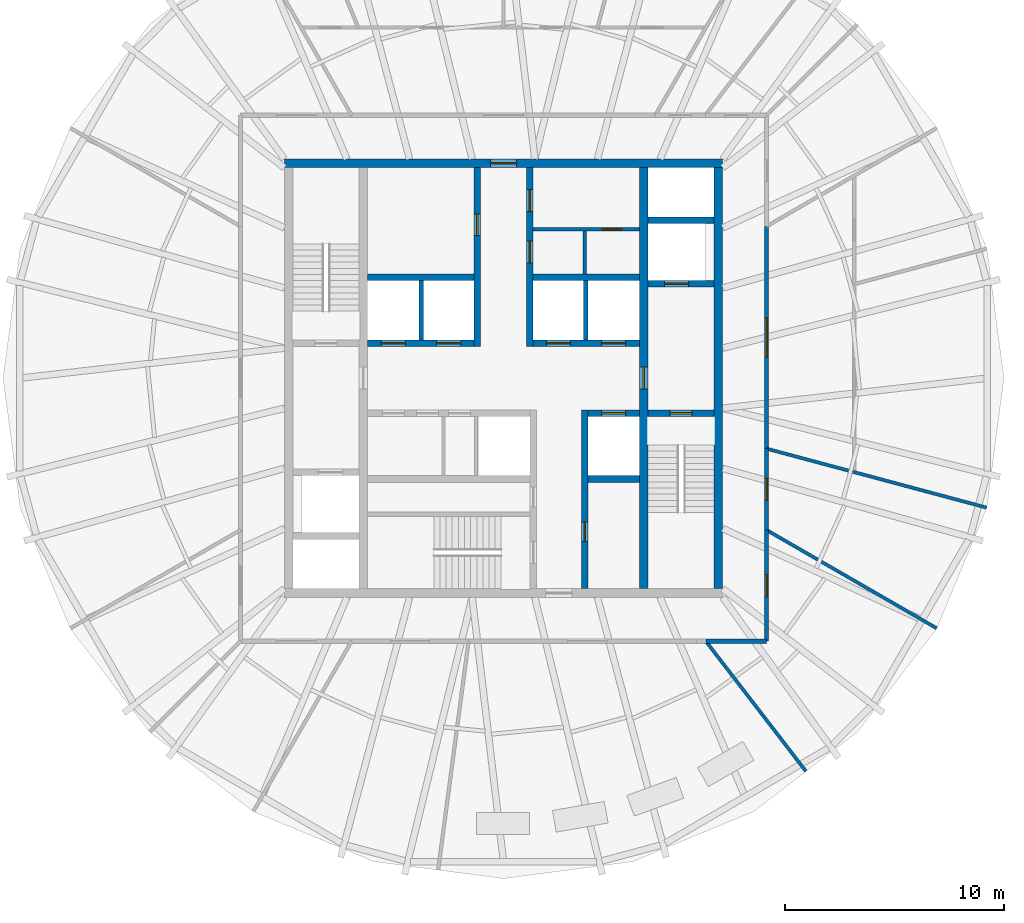
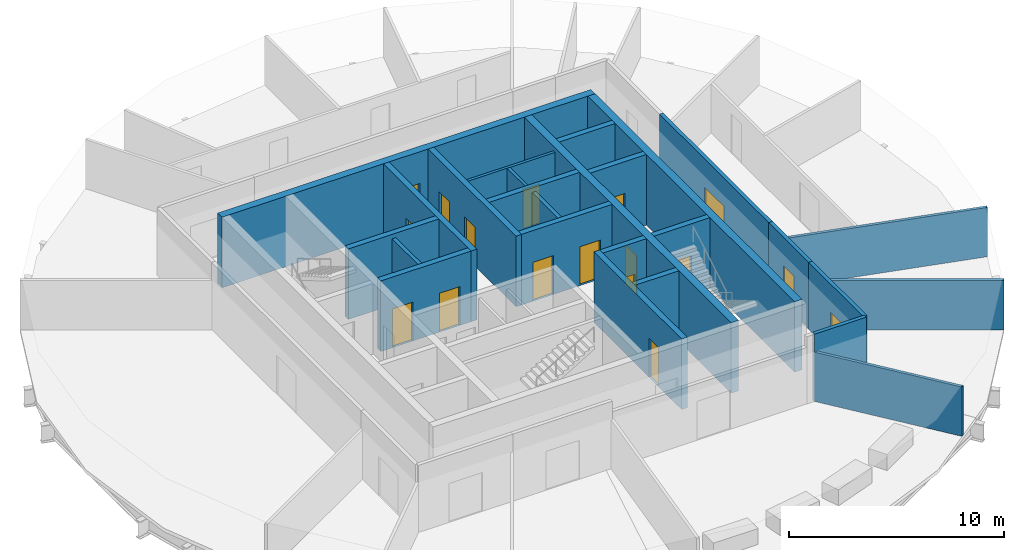
# One storey, part 4 of 7: 26 walls, 17 doors, 17 openings.
"""IFC4 building model written with IfcOpenShell, lengths in metres."""

from ifc_helpers import new_model, si_unit, direction, frame, frame_2d, origin, place, context, subcontext, project, spatial, rectangle, extrude, material, layer, layer_set, type_object, element, fill, save


model = new_model("IFC4")

# Units and contexts
model_context = context("Model", 3, precision=1e-05, world=origin(), true_north=direction((0.0, 1.0)))
body_context = subcontext(model_context, "Body", "Model", "MODEL_VIEW")
ifc_project = project(units=[si_unit("LENGTHUNIT", "METRE"), si_unit("AREAUNIT", "SQUARE_METRE"), si_unit("VOLUMEUNIT", "CUBIC_METRE"), si_unit("PLANEANGLEUNIT", "RADIAN"), si_unit("MASSUNIT", "GRAM", prefix="KILO")], contexts=[model_context])

# Site, building, storey
site_placement = place(None, origin())
site = spatial("IfcSite", under=ifc_project, at=site_placement, CompositionType="ELEMENT")
building_placement = place(site_placement, origin())
building = spatial("IfcBuilding", under=site, at=building_placement, Name="Golbaran Civic Tower", CompositionType="ELEMENT")
storey_placement = place(building_placement, frame((0.0, 0.0, 236.0)))
storey = spatial("IfcBuildingStorey", under=building, at=storey_placement, Name="L57", CompositionType="ELEMENT", Elevation=236.0)

# Wall, opening, door
ifc_material_1 = material(Name="Concrete block", Category="concrete")
ifc_layer_1 = layer(ifc_material_1, 0.14990234375, Name="Concrete block")
ifc_layer_set_1 = layer_set([ifc_layer_1], Name="Concrete block")
wall_type_1 = type_object("IfcWallType", Name="BLOCKWORK PARTITION 150", PredefinedType="PARTITIONING", material=ifc_layer_set_1)
wall_1_placement = place(storey_placement, frame((1.35009765625, 6.800048828125, 0.0), z_axis=(0.0, 0.0, 1.0), x_axis=(1.0, 0.0, 0.0)))
wall_1 = element("IfcWall", 1, at=wall_1_placement, inside=storey, type_object=wall_type_1, Name="Toilet block partition TN1 L57", PredefinedType="PARTITIONING", context=body_context, shape_type="SweptSolid", body=[
    extrude(rectangle(XDim=4.849853515625, YDim=0.14990234375, at=frame_2d((2.4248046875, 0.0))), origin(), (0.0, 0.0, 1.0), 3.75),
])
opening_1_placement = place(wall_1_placement, frame((3.14990234375, 0.0, 0.0)))
opening_1 = element("IfcOpeningElement", 2, at=opening_1_placement, cuts=wall_1, Name="Opening L57.CLN", PredefinedType="OPENING", context=body_context, shape_type="SweptSolid", body=[
    extrude(rectangle(XDim=0.89990234375, YDim=2.199951171875, at=frame_2d((0.449951171875, 1.10009765625))), frame((0.0, 0.0849609375, 0.0), z_axis=(0.0, -1.0, 0.0), x_axis=(1.0, 0.0, 0.0)), (0.0, 0.0, 1.0), 0.169921875),
])
ifc_material_2 = material(Name="Timber door set in steel frame", Category="steel")
door_type_1 = type_object("IfcDoorType", Name="RISER DOOR 900x2200", OperationType="SINGLE_SWING_LEFT", PredefinedType="DOOR", material=ifc_material_2)
door_1_placement = place(opening_1_placement, origin())
door_1 = element("IfcDoor", 3, at=door_1_placement, inside=storey, type_object=door_type_1, Name="Cleaner's Store door", OperationType="SINGLE_SWING_RIGHT", OverallHeight=2.199951171875, OverallWidth=0.89990234375, PredefinedType="DOOR", context=body_context, shape_type="SweptSolid", body=[
    extrude(rectangle(XDim=0.89990234375, YDim=2.199951171875, at=frame_2d((0.449951171875, 1.10009765625))), frame((0.0, 0.02490234375, 0.0), z_axis=(0.0, -1.0, 0.0), x_axis=(1.0, 0.0, 0.0)), (0.0, 0.0, 1.0), 0.050048828125),
])
fill(opening_1, door_1)

# Wall
wall_2_placement = place(storey_placement, frame((3.699951171875, 4.75, 0.0), z_axis=(0.0, 0.0, 1.0), x_axis=(0.0, 1.0, 0.0)))
element("IfcWall", 4, at=wall_2_placement, inside=storey, type_object=wall_type_1, Name="Toilet block partition TN2 L57", PredefinedType="PARTITIONING", context=body_context, shape_type="SweptSolid", body=[
    extrude(rectangle(XDim=1.97509765625, YDim=0.14990234375, at=frame_2d((0.987548828125, 0.0))), origin(), (0.0, 0.0, 1.0), 3.75),
])

# Wall, opening, door
ifc_material_3 = material(Name="Concrete C50/60", Category="concrete")
ifc_layer_2 = layer(ifc_material_3, 0.39990234375, Name="Concrete C50/60")
ifc_layer_set_2 = layer_set([ifc_layer_2], Name="Concrete C50/60")
wall_type_2 = type_object("IfcWallType", Name="CORE WALL CONCRETE 400", PredefinedType="SOLIDWALL", material=ifc_layer_set_2)
wall_3_placement = place(storey_placement, frame((-10.0, 9.800048828125, 0.0), z_axis=(0.0, 0.0, 1.0), x_axis=(1.0, 0.0, 0.0)))
wall_3 = element("IfcWall", 5, at=wall_3_placement, inside=storey, type_object=wall_type_2, Name="Core wall CN L57", PredefinedType="SOLIDWALL", context=body_context, shape_type="SweptSolid", body=[
    extrude(rectangle(XDim=20.0, YDim=0.39990234375, at=frame_2d((10.0, 0.0))), origin(), (0.0, 0.0, 1.0), 4.0),
])
opening_2_placement = place(wall_3_placement, frame((9.39990234375, 0.0, 0.0)))
opening_2 = element("IfcOpeningElement", 6, at=opening_2_placement, cuts=wall_3, Name="Opening L57.CN", PredefinedType="OPENING", context=body_context, shape_type="SweptSolid", body=[
    extrude(rectangle(XDim=1.199951171875, YDim=2.199951171875, at=frame_2d((0.60009765625, 1.10009765625))), frame((0.0, 0.2099609375, 0.0), z_axis=(0.0, -1.0, 0.0), x_axis=(1.0, 0.0, 0.0)), (0.0, 0.0, 1.0), 0.419921875),
])
door_type_2 = type_object("IfcDoorType", Name="CORE DOOR 1200x2200", OperationType="DOUBLE_DOOR_SINGLE_SWING", PredefinedType="DOOR", material=ifc_material_2)
door_2_placement = place(opening_2_placement, origin())
door_2 = element("IfcDoor", 7, at=door_2_placement, inside=storey, type_object=door_type_2, Name="Core door north", OperationType="DOUBLE_DOOR_SINGLE_SWING", OverallHeight=2.199951171875, OverallWidth=1.199951171875, PredefinedType="DOOR", context=body_context, shape_type="SweptSolid", body=[
    extrude(rectangle(XDim=1.199951171875, YDim=2.199951171875, at=frame_2d((0.60009765625, 1.10009765625))), frame((0.0, 0.02490234375, 0.0), z_axis=(0.0, -1.0, 0.0), x_axis=(1.0, 0.0, 0.0)), (0.0, 0.0, 1.0), 0.050048828125),
])
fill(opening_2, door_2)

# Wall
wall_4_placement = place(storey_placement, frame((9.800048828125, -9.60009765625, 0.0), z_axis=(0.0, 0.0, 1.0), x_axis=(0.0, 1.0, 0.0)))
element("IfcWall", 8, at=wall_4_placement, inside=storey, type_object=wall_type_2, Name="Core wall CE L57", PredefinedType="SOLIDWALL", context=body_context, shape_type="SweptSolid", body=[
    extrude(rectangle(XDim=19.2001953125, YDim=0.39990234375, at=frame_2d((9.60009765625, 0.0))), origin(), (0.0, 0.0, 1.0), 4.0),
])

# Wall, opening, door
wall_5_placement = place(storey_placement, frame((6.39990234375, 9.60009765625, 0.0), z_axis=(0.0, 0.0, 1.0), x_axis=(0.0, -1.0, 0.0)))
wall_5 = element("IfcWall", 9, at=wall_5_placement, inside=storey, type_object=wall_type_2, Name="Core wall IE L57", PredefinedType="SOLIDWALL", context=body_context, shape_type="SweptSolid", body=[
    extrude(rectangle(XDim=19.2001953125, YDim=0.39990234375, at=frame_2d((9.60009765625, 0.0))), origin(), (0.0, 0.0, 1.0), 4.0),
])
opening_3_placement = place(wall_5_placement, frame((9.10009765625, 0.0, 0.0)))
opening_3 = element("IfcOpeningElement", 10, at=opening_3_placement, cuts=wall_5, Name="Opening L57.FL2", PredefinedType="OPENING", context=body_context, shape_type="SweptSolid", body=[
    extrude(rectangle(XDim=1.0, YDim=2.199951171875, at=frame_2d((0.5, 1.10009765625))), frame((0.0, 0.2099609375, 0.0), z_axis=(0.0, -1.0, 0.0), x_axis=(1.0, 0.0, 0.0)), (0.0, 0.0, 1.0), 0.419921875),
])
door_type_3 = type_object("IfcDoorType", Name="STAIR DOOR 1000x2200", OperationType="SINGLE_SWING_LEFT", PredefinedType="DOOR", material=ifc_material_2)
door_3_placement = place(opening_3_placement, origin())
door_3 = element("IfcDoor", 11, at=door_3_placement, inside=storey, type_object=door_type_3, Name="Fire-fighting lobby FL2 door", OperationType="SINGLE_SWING_RIGHT", OverallHeight=2.199951171875, OverallWidth=1.0, PredefinedType="DOOR", context=body_context, shape_type="SweptSolid", body=[
    extrude(rectangle(XDim=1.0, YDim=2.199951171875, at=frame_2d((0.5, 1.10009765625))), frame((0.0, 0.02490234375, 0.0), z_axis=(0.0, -1.0, 0.0), x_axis=(1.0, 0.0, 0.0)), (0.0, 0.0, 1.0), 0.050048828125),
])
fill(opening_3, door_3)

ifc_material_4 = material(Name="Gypsum board on steel studs, fire-rated", Category="steel")
ifc_layer_3 = layer(ifc_material_4, 0.199951171875, Name="Gypsum board on steel studs, fire-rated")
ifc_layer_set_3 = layer_set([ifc_layer_3], Name="Gypsum board on steel studs, fire-rated")
wall_type_3 = type_object("IfcWallType", Name="CORRIDOR WALL 200", PredefinedType="PARTITIONING", material=ifc_layer_set_3)
wall_6_placement = place(storey_placement, frame((12.0, -6.92822265625, 0.0), z_axis=(0.0, 0.0, 1.0), x_axis=(0.0, 1.0, 0.0)))
wall_6 = element("IfcWall", 12, at=wall_6_placement, inside=storey, type_object=wall_type_3, Name="Corridor wall L57", PredefinedType="PARTITIONING", context=body_context, shape_type="SweptSolid", body=[
    extrude(rectangle(XDim=3.712890625, YDim=0.199951171875, at=frame_2d((1.8564453125, 0.0))), origin(), (0.0, 0.0, 1.0), 3.800048828125),
])
opening_4_placement = place(wall_6_placement, frame((1.3564453125, 0.0, 0.0)))
opening_4 = element("IfcOpeningElement", 13, at=opening_4_placement, cuts=wall_6, Name="Opening L57.07", PredefinedType="OPENING", context=body_context, shape_type="SweptSolid", body=[
    extrude(rectangle(XDim=1.0, YDim=2.199951171875, at=frame_2d((0.5, 1.10009765625))), frame((0.0, 0.10986328125, 0.0), z_axis=(0.0, -1.0, 0.0), x_axis=(1.0, 0.0, 0.0)), (0.0, 0.0, 1.0), 0.219970703125),
])
door_type_4 = type_object("IfcDoorType", Name="OFFICE DOOR 1000x2200", OperationType="SINGLE_SWING_LEFT", PredefinedType="DOOR", material=ifc_material_2)
door_4_placement = place(opening_4_placement, origin())
door_4 = element("IfcDoor", 14, at=door_4_placement, inside=storey, type_object=door_type_4, Name="Meeting Room door L57", OperationType="SINGLE_SWING_LEFT", OverallHeight=2.199951171875, OverallWidth=1.0, PredefinedType="DOOR", context=body_context, shape_type="SweptSolid", body=[
    extrude(rectangle(XDim=1.0, YDim=2.199951171875, at=frame_2d((0.5, 1.10009765625))), frame((0.0, 0.02490234375, 0.0), z_axis=(0.0, -1.0, 0.0), x_axis=(1.0, 0.0, 0.0)), (0.0, 0.0, 1.0), 0.050048828125),
])
fill(opening_4, door_4)

wall_7_placement = place(storey_placement, frame((12.0, -3.21533203125, 0.0), z_axis=(0.0, 0.0, 1.0), x_axis=(0.0, 1.0, 0.0)))
wall_7 = element("IfcWall", 15, at=wall_7_placement, inside=storey, type_object=wall_type_3, Name="Corridor wall L57", PredefinedType="PARTITIONING", context=body_context, shape_type="SweptSolid", body=[
    extrude(rectangle(XDim=10.1435546875, YDim=0.199951171875, at=frame_2d((5.07177734375, 0.0))), origin(), (0.0, 0.0, 1.0), 3.800048828125),
])
opening_5_placement = place(wall_7_placement, frame((4.171875, 0.0, 0.0)))
opening_5 = element("IfcOpeningElement", 16, at=opening_5_placement, cuts=wall_7, Name="Opening L57.08", PredefinedType="OPENING", context=body_context, shape_type="SweptSolid", body=[
    extrude(rectangle(XDim=1.800048828125, YDim=2.199951171875, at=frame_2d((0.89990234375, 1.10009765625))), frame((0.0, 0.10986328125, 0.0), z_axis=(0.0, -1.0, 0.0), x_axis=(1.0, 0.0, 0.0)), (0.0, 0.0, 1.0), 0.219970703125),
])
door_type_5 = type_object("IfcDoorType", Name="OFFICE DOUBLE DOOR 1800x2200", OperationType="DOUBLE_DOOR_SINGLE_SWING", PredefinedType="DOOR", material=ifc_material_2)
door_5_placement = place(opening_5_placement, origin())
door_5 = element("IfcDoor", 17, at=door_5_placement, inside=storey, type_object=door_type_5, Name="Secretariat door L57", OperationType="DOUBLE_DOOR_SINGLE_SWING", OverallHeight=2.199951171875, OverallWidth=1.800048828125, PredefinedType="DOOR", context=body_context, shape_type="SweptSolid", body=[
    extrude(rectangle(XDim=1.800048828125, YDim=2.199951171875, at=frame_2d((0.89990234375, 1.10009765625))), frame((0.0, 0.02490234375, 0.0), z_axis=(0.0, -1.0, 0.0), x_axis=(1.0, 0.0, 0.0)), (0.0, 0.0, 1.0), 0.050048828125),
])
fill(opening_5, door_5)

# Wall
wall_8_placement = place(storey_placement, frame((9.23095703125, -12.0, 0.0), z_axis=(0.0, 0.0, 1.0), x_axis=(1.0, 0.0, 0.0)))
element("IfcWall", 18, at=wall_8_placement, inside=storey, type_object=wall_type_3, Name="Corridor wall L57", PredefinedType="PARTITIONING", context=body_context, shape_type="SweptSolid", body=[
    extrude(rectangle(XDim=2.76904296875, YDim=0.199951171875, at=frame_2d((1.384521484375, 0.0))), origin(), (0.0, 0.0, 1.0), 3.800048828125),
])

# Wall, opening, door
wall_9_placement = place(storey_placement, frame((12.0, -12.0, 0.0), z_axis=(0.0, 0.0, 1.0), x_axis=(0.0, 1.0, 0.0)))
wall_9 = element("IfcWall", 19, at=wall_9_placement, inside=storey, type_object=wall_type_3, Name="Corridor wall L57", PredefinedType="PARTITIONING", context=body_context, shape_type="SweptSolid", body=[
    extrude(rectangle(XDim=5.07177734375, YDim=0.199951171875, at=frame_2d((2.535888671875, 0.0))), origin(), (0.0, 0.0, 1.0), 3.800048828125),
])
opening_6_placement = place(wall_9_placement, frame((2.035888671875, 0.0, 0.0)))
opening_6 = element("IfcOpeningElement", 20, at=opening_6_placement, cuts=wall_9, Name="Opening L57.19", PredefinedType="OPENING", context=body_context, shape_type="SweptSolid", body=[
    extrude(rectangle(XDim=1.0, YDim=2.199951171875, at=frame_2d((0.5, 1.10009765625))), frame((0.0, 0.10986328125, 0.0), z_axis=(0.0, -1.0, 0.0), x_axis=(1.0, 0.0, 0.0)), (0.0, 0.0, 1.0), 0.219970703125),
])
door_6_placement = place(opening_6_placement, origin())
door_6 = element("IfcDoor", 21, at=door_6_placement, inside=storey, type_object=door_type_4, Name="Meeting Room door L57", OperationType="SINGLE_SWING_LEFT", OverallHeight=2.199951171875, OverallWidth=1.0, PredefinedType="DOOR", context=body_context, shape_type="SweptSolid", body=[
    extrude(rectangle(XDim=1.0, YDim=2.199951171875, at=frame_2d((0.5, 1.10009765625))), frame((0.0, 0.02490234375, 0.0), z_axis=(0.0, -1.0, 0.0), x_axis=(1.0, 0.0, 0.0)), (0.0, 0.0, 1.0), 0.050048828125),
])
fill(opening_6, door_6)

# Walls
ifc_layer_4 = layer(ifc_material_1, 0.199951171875, Name="Concrete block")
ifc_layer_set_4 = layer_set([ifc_layer_4], Name="Concrete block")
wall_type_4 = type_object("IfcWallType", Name="LIFT SEPARATOR WALL 200", PredefinedType="SOLIDWALL", material=ifc_layer_set_4)
for number, where, z_axis, x_axis, name in (
    (22, (-3.75, 1.75, 0.0), (0.0, 0.0, 1.0), (0.0, 1.0, 0.0), "Core partition SNW L57"),
    (23, (3.75, 1.75, 0.0), (0.0, 0.0, 1.0), (0.0, 1.0, 0.0), "Core partition SNE L57"),
):
    element("IfcWall", number, at=place(storey_placement, frame(where, z_axis=z_axis, x_axis=x_axis)), inside=storey, type_object=wall_type_4, Name=name, PredefinedType="SOLIDWALL", context=body_context, shape_type="SweptSolid", body=[
        extrude(rectangle(XDim=2.699951171875, YDim=0.199951171875, at=frame_2d((1.35009765625, 0.0))), origin(), (0.0, 0.0, 1.0), 3.75),
    ])
ifc_material_5 = material(Name="Gypsum board on steel studs", Category="steel")
ifc_layer_5 = layer(ifc_material_5, 0.14990234375, Name="Gypsum board on steel studs")
ifc_layer_set_5 = layer_set([ifc_layer_5], Name="Gypsum board on steel studs")
wall_type_5 = type_object("IfcWallType", Name="OFFICE PARTITION 150", PredefinedType="PARTITIONING", material=ifc_layer_set_5)
wall_10_placement = place(storey_placement, frame((12.0, -6.92822265625, 0.0), z_axis=(0.0, 0.0, 1.0), x_axis=(0.866025969295, -0.499999020506, 0.0)))
element("IfcWall", 24, at=wall_10_placement, inside=storey, type_object=wall_type_5, Name="Partition 330 L57", PredefinedType="PARTITIONING", context=body_context, shape_type="SweptSolid", body=[
    extrude(rectangle(XDim=8.9658203125, YDim=0.14990234375, at=frame_2d((4.48291015625, 0.0))), origin(), (0.0, 0.0, 1.0), 2.7900390625),
])
wall_11_placement = place(storey_placement, frame((12.0, -3.21533203125, 0.0), z_axis=(0.0, 0.0, 1.0), x_axis=(0.965927197493, -0.258813927647, 0.0)))
element("IfcWall", 25, at=wall_11_placement, inside=storey, type_object=wall_type_5, Name="Partition 345 L57", PredefinedType="PARTITIONING", context=body_context, shape_type="SweptSolid", body=[
    extrude(rectangle(XDim=10.39892578125, YDim=0.14990234375, at=frame_2d((5.199462890625, 0.0))), origin(), (0.0, 0.0, 1.0), 2.7900390625),
])
wall_12_placement = place(storey_placement, frame((9.23095703125, -12.0, 0.0), z_axis=(0.0, 0.0, 1.0), x_axis=(0.609721791475, -0.792615503886, 0.0)))
element("IfcWall", 26, at=wall_12_placement, inside=storey, type_object=wall_type_5, Name="Partition 307.569 L57", PredefinedType="PARTITIONING", context=body_context, shape_type="SweptSolid", body=[
    extrude(rectangle(XDim=7.4873046875, YDim=0.14990234375, at=frame_2d((3.74365234375, 0.0))), origin(), (0.0, 0.0, 1.0), 2.7900390625),
])

# Wall, openings, doors
ifc_layer_6 = layer(ifc_material_3, 0.300048828125, Name="Concrete C50/60")
ifc_layer_set_6 = layer_set([ifc_layer_6], Name="Concrete C50/60")
wall_type_6 = type_object("IfcWallType", Name="SHAFT WALL CONCRETE 300", PredefinedType="SOLIDWALL", material=ifc_layer_set_6)
wall_13_placement = place(storey_placement, frame((-6.199951171875, 1.60009765625, 0.0), z_axis=(0.0, 0.0, 1.0), x_axis=(1.0, 0.0, 0.0)))
wall_13 = element("IfcWall", 27, at=wall_13_placement, inside=storey, type_object=wall_type_6, Name="Core wall FNW L57", PredefinedType="SOLIDWALL", context=body_context, shape_type="SweptSolid", body=[
    extrude(rectangle(XDim=4.849853515625, YDim=0.300048828125, at=frame_2d((2.4248046875, 0.0))), origin(), (0.0, 0.0, 1.0), 4.0),
])
opening_7_placement = place(wall_13_placement, frame((0.625, 0.0, 0.0)))
opening_7 = element("IfcOpeningElement", 28, at=opening_7_placement, cuts=wall_13, Name="Opening L57.LD-Z1T", PredefinedType="OPENING", context=body_context, shape_type="SweptSolid", body=[
    extrude(rectangle(XDim=1.10009765625, YDim=2.199951171875, at=frame_2d((0.550048828125, 1.10009765625))), frame((0.0, 0.159912109375, 0.0), z_axis=(0.0, -1.0, 0.0), x_axis=(1.0, 0.0, 0.0)), (0.0, 0.0, 1.0), 0.320068359375),
])
opening_8_placement = place(wall_13_placement, frame((3.14990234375, 0.0, 0.0)))
opening_8 = element("IfcOpeningElement", 29, at=opening_8_placement, cuts=wall_13, Name="Opening L57.LD-Z2T", PredefinedType="OPENING", context=body_context, shape_type="SweptSolid", body=[
    extrude(rectangle(XDim=1.10009765625, YDim=2.199951171875, at=frame_2d((0.550048828125, 1.10009765625))), frame((0.0, 0.159912109375, 0.0), z_axis=(0.0, -1.0, 0.0), x_axis=(1.0, 0.0, 0.0)), (0.0, 0.0, 1.0), 0.320068359375),
])
ifc_material_6 = material(Name="Stainless steel", Category="steel")
door_type_6 = type_object("IfcDoorType", Name="LIFT LANDING DOOR 1100x2200", OperationType="SLIDING_TO_LEFT", PredefinedType="DOOR", material=ifc_material_6)
door_7_placement = place(opening_7_placement, origin())
door_7 = element("IfcDoor", 30, at=door_7_placement, inside=storey, type_object=door_type_6, Name="Lift landing door Z1T", OperationType="SLIDING_TO_LEFT", OverallHeight=2.199951171875, OverallWidth=1.10009765625, PredefinedType="DOOR", context=body_context, shape_type="SweptSolid", body=[
    extrude(rectangle(XDim=1.10009765625, YDim=2.199951171875, at=frame_2d((0.550048828125, 1.10009765625))), frame((0.0, 0.02490234375, 0.0), z_axis=(0.0, -1.0, 0.0), x_axis=(1.0, 0.0, 0.0)), (0.0, 0.0, 1.0), 0.050048828125),
])
fill(opening_7, door_7)
door_8_placement = place(opening_8_placement, origin())
door_8 = element("IfcDoor", 31, at=door_8_placement, inside=storey, type_object=door_type_6, Name="Lift landing door Z2T", OperationType="SLIDING_TO_LEFT", OverallHeight=2.199951171875, OverallWidth=1.10009765625, PredefinedType="DOOR", context=body_context, shape_type="SweptSolid", body=[
    extrude(rectangle(XDim=1.10009765625, YDim=2.199951171875, at=frame_2d((0.550048828125, 1.10009765625))), frame((0.0, 0.02490234375, 0.0), z_axis=(0.0, -1.0, 0.0), x_axis=(1.0, 0.0, 0.0)), (0.0, 0.0, 1.0), 0.050048828125),
])
fill(opening_8, door_8)

wall_14_placement = place(storey_placement, frame((1.35009765625, 1.60009765625, 0.0), z_axis=(0.0, 0.0, 1.0), x_axis=(1.0, 0.0, 0.0)))
wall_14 = element("IfcWall", 32, at=wall_14_placement, inside=storey, type_object=wall_type_6, Name="Core wall FNE L57", PredefinedType="SOLIDWALL", context=body_context, shape_type="SweptSolid", body=[
    extrude(rectangle(XDim=4.849853515625, YDim=0.300048828125, at=frame_2d((2.4248046875, 0.0))), origin(), (0.0, 0.0, 1.0), 4.0),
])
opening_9_placement = place(wall_14_placement, frame((0.60009765625, 0.0, 0.0)))
opening_9 = element("IfcOpeningElement", 33, at=opening_9_placement, cuts=wall_14, Name="Opening L57.LD-Z3T", PredefinedType="OPENING", context=body_context, shape_type="SweptSolid", body=[
    extrude(rectangle(XDim=1.10009765625, YDim=2.199951171875, at=frame_2d((0.550048828125, 1.10009765625))), frame((0.0, 0.159912109375, 0.0), z_axis=(0.0, -1.0, 0.0), x_axis=(1.0, 0.0, 0.0)), (0.0, 0.0, 1.0), 0.320068359375),
])
opening_10_placement = place(wall_14_placement, frame((3.125, 0.0, 0.0)))
opening_10 = element("IfcOpeningElement", 34, at=opening_10_placement, cuts=wall_14, Name="Opening L57.LD-Z4T", PredefinedType="OPENING", context=body_context, shape_type="SweptSolid", body=[
    extrude(rectangle(XDim=1.10009765625, YDim=2.199951171875, at=frame_2d((0.550048828125, 1.10009765625))), frame((0.0, 0.159912109375, 0.0), z_axis=(0.0, -1.0, 0.0), x_axis=(1.0, 0.0, 0.0)), (0.0, 0.0, 1.0), 0.320068359375),
])
door_9_placement = place(opening_9_placement, origin())
door_9 = element("IfcDoor", 35, at=door_9_placement, inside=storey, type_object=door_type_6, Name="Lift landing door Z3T", OperationType="SLIDING_TO_LEFT", OverallHeight=2.199951171875, OverallWidth=1.10009765625, PredefinedType="DOOR", context=body_context, shape_type="SweptSolid", body=[
    extrude(rectangle(XDim=1.10009765625, YDim=2.199951171875, at=frame_2d((0.550048828125, 1.10009765625))), frame((0.0, 0.02490234375, 0.0), z_axis=(0.0, -1.0, 0.0), x_axis=(1.0, 0.0, 0.0)), (0.0, 0.0, 1.0), 0.050048828125),
])
fill(opening_9, door_9)
door_10_placement = place(opening_10_placement, origin())
door_10 = element("IfcDoor", 36, at=door_10_placement, inside=storey, type_object=door_type_6, Name="Lift landing door Z4T", OperationType="SLIDING_TO_LEFT", OverallHeight=2.199951171875, OverallWidth=1.10009765625, PredefinedType="DOOR", context=body_context, shape_type="SweptSolid", body=[
    extrude(rectangle(XDim=1.10009765625, YDim=2.199951171875, at=frame_2d((0.550048828125, 1.10009765625))), frame((0.0, 0.02490234375, 0.0), z_axis=(0.0, -1.0, 0.0), x_axis=(1.0, 0.0, 0.0)), (0.0, 0.0, 1.0), 0.050048828125),
])
fill(opening_10, door_10)

# Walls
for number, where, z_axis, x_axis, name in (
    (37, (-6.199951171875, 4.60009765625, 0.0), (0.0, 0.0, 1.0), (1.0, 0.0, 0.0), "Core wall BNW L57"),
    (38, (1.35009765625, 4.60009765625, 0.0), (0.0, 0.0, 1.0), (1.0, 0.0, 0.0), "Core wall BNE L57"),
):
    element("IfcWall", number, at=place(storey_placement, frame(where, z_axis=z_axis, x_axis=x_axis)), inside=storey, type_object=wall_type_6, Name=name, PredefinedType="SOLIDWALL", context=body_context, shape_type="SweptSolid", body=[
        extrude(rectangle(XDim=4.849853515625, YDim=0.300048828125, at=frame_2d((2.4248046875, 0.0))), origin(), (0.0, 0.0, 1.0), 4.0),
    ])

# Wall, opening, door
wall_15_placement = place(storey_placement, frame((-1.199951171875, 1.449951171875, 0.0), z_axis=(0.0, 0.0, 1.0), x_axis=(0.0, 1.0, 0.0)))
wall_15 = element("IfcWall", 39, at=wall_15_placement, inside=storey, type_object=wall_type_6, Name="Core wall PNW L57", PredefinedType="SOLIDWALL", context=body_context, shape_type="SweptSolid", body=[
    extrude(rectangle(XDim=8.150146484375, YDim=0.300048828125, at=frame_2d((4.0751953125, 0.0))), origin(), (0.0, 0.0, 1.0), 4.0),
])
opening_11_placement = place(wall_15_placement, frame((5.050048828125, 0.0, 0.0)))
opening_11 = element("IfcOpeningElement", 40, at=opening_11_placement, cuts=wall_15, Name="Opening L57.WCM", PredefinedType="OPENING", context=body_context, shape_type="SweptSolid", body=[
    extrude(rectangle(XDim=1.0, YDim=2.199951171875, at=frame_2d((0.5, 1.10009765625))), frame((0.0, 0.159912109375, 0.0), z_axis=(0.0, -1.0, 0.0), x_axis=(1.0, 0.0, 0.0)), (0.0, 0.0, 1.0), 0.320068359375),
])
door_type_7 = type_object("IfcDoorType", Name="TOILET DOOR 1000x2200", OperationType="SINGLE_SWING_LEFT", PredefinedType="DOOR", material=ifc_material_2)
door_11_placement = place(opening_11_placement, origin())
door_11 = element("IfcDoor", 41, at=door_11_placement, inside=storey, type_object=door_type_7, Name="North-west toilet block door", OperationType="SINGLE_SWING_RIGHT", OverallHeight=2.199951171875, OverallWidth=1.0, PredefinedType="DOOR", context=body_context, shape_type="SweptSolid", body=[
    extrude(rectangle(XDim=1.0, YDim=2.199951171875, at=frame_2d((0.5, 1.10009765625))), frame((0.0, 0.02490234375, 0.0), z_axis=(0.0, -1.0, 0.0), x_axis=(1.0, 0.0, 0.0)), (0.0, 0.0, 1.0), 0.050048828125),
])
fill(opening_11, door_11)

# Wall, openings, doors
wall_16_placement = place(storey_placement, frame((1.199951171875, 1.449951171875, 0.0), z_axis=(0.0, 0.0, 1.0), x_axis=(0.0, 1.0, 0.0)))
wall_16 = element("IfcWall", 42, at=wall_16_placement, inside=storey, type_object=wall_type_6, Name="Core wall PNE L57", PredefinedType="SOLIDWALL", context=body_context, shape_type="SweptSolid", body=[
    extrude(rectangle(XDim=8.150146484375, YDim=0.300048828125, at=frame_2d((4.0751953125, 0.0))), origin(), (0.0, 0.0, 1.0), 4.0),
])
opening_12_placement = place(wall_16_placement, frame((3.800048828125, 0.0, 0.0)))
opening_12 = element("IfcOpeningElement", 43, at=opening_12_placement, cuts=wall_16, Name="Opening L57.WCA", PredefinedType="OPENING", context=body_context, shape_type="SweptSolid", body=[
    extrude(rectangle(XDim=1.0, YDim=2.199951171875, at=frame_2d((0.5, 1.10009765625))), frame((0.0, 0.159912109375, 0.0), z_axis=(0.0, -1.0, 0.0), x_axis=(1.0, 0.0, 0.0)), (0.0, 0.0, 1.0), 0.320068359375),
])
opening_13_placement = place(wall_16_placement, frame((6.14990234375, 0.0, 0.0)))
opening_13 = element("IfcOpeningElement", 44, at=opening_13_placement, cuts=wall_16, Name="Opening L57.WCF", PredefinedType="OPENING", context=body_context, shape_type="SweptSolid", body=[
    extrude(rectangle(XDim=1.0, YDim=2.199951171875, at=frame_2d((0.5, 1.10009765625))), frame((0.0, 0.159912109375, 0.0), z_axis=(0.0, -1.0, 0.0), x_axis=(1.0, 0.0, 0.0)), (0.0, 0.0, 1.0), 0.320068359375),
])
door_12_placement = place(opening_12_placement, origin())
door_12 = element("IfcDoor", 45, at=door_12_placement, inside=storey, type_object=door_type_7, Name="Accessible WC door", OperationType="SINGLE_SWING_RIGHT", OverallHeight=2.199951171875, OverallWidth=1.0, PredefinedType="DOOR", context=body_context, shape_type="SweptSolid", body=[
    extrude(rectangle(XDim=1.0, YDim=2.199951171875, at=frame_2d((0.5, 1.10009765625))), frame((0.0, 0.02490234375, 0.0), z_axis=(0.0, -1.0, 0.0), x_axis=(1.0, 0.0, 0.0)), (0.0, 0.0, 1.0), 0.050048828125),
])
fill(opening_12, door_12)
door_13_placement = place(opening_13_placement, origin())
door_13 = element("IfcDoor", 46, at=door_13_placement, inside=storey, type_object=door_type_7, Name="North-east toilet block door", OperationType="SINGLE_SWING_RIGHT", OverallHeight=2.199951171875, OverallWidth=1.0, PredefinedType="DOOR", context=body_context, shape_type="SweptSolid", body=[
    extrude(rectangle(XDim=1.0, YDim=2.199951171875, at=frame_2d((0.5, 1.10009765625))), frame((0.0, 0.02490234375, 0.0), z_axis=(0.0, -1.0, 0.0), x_axis=(1.0, 0.0, 0.0)), (0.0, 0.0, 1.0), 0.050048828125),
])
fill(opening_13, door_13)

# Wall, opening, door
wall_17_placement = place(storey_placement, frame((3.85009765625, -1.60009765625, 0.0), z_axis=(0.0, 0.0, 1.0), x_axis=(1.0, 0.0, 0.0)))
wall_17 = element("IfcWall", 47, at=wall_17_placement, inside=storey, type_object=wall_type_6, Name="Core wall FSE L57", PredefinedType="SOLIDWALL", context=body_context, shape_type="SweptSolid", body=[
    extrude(rectangle(XDim=2.349853515625, YDim=0.300048828125, at=frame_2d((1.1748046875, 0.0))), origin(), (0.0, 0.0, 1.0), 4.0),
])
opening_14_placement = place(wall_17_placement, frame((0.625, 0.0, 0.0)))
opening_14 = element("IfcOpeningElement", 48, at=opening_14_placement, cuts=wall_17, Name="Opening L57.LD-V1", PredefinedType="OPENING", context=body_context, shape_type="SweptSolid", body=[
    extrude(rectangle(XDim=1.10009765625, YDim=2.199951171875, at=frame_2d((0.550048828125, 1.10009765625))), frame((0.0, 0.159912109375, 0.0), z_axis=(0.0, -1.0, 0.0), x_axis=(1.0, 0.0, 0.0)), (0.0, 0.0, 1.0), 0.320068359375),
])
door_14_placement = place(opening_14_placement, origin())
door_14 = element("IfcDoor", 49, at=door_14_placement, inside=storey, type_object=door_type_6, Name="Lift landing door V1", OperationType="SLIDING_TO_LEFT", OverallHeight=2.199951171875, OverallWidth=1.10009765625, PredefinedType="DOOR", context=body_context, shape_type="SweptSolid", body=[
    extrude(rectangle(XDim=1.10009765625, YDim=2.199951171875, at=frame_2d((0.550048828125, 1.10009765625))), frame((0.0, 0.02490234375, 0.0), z_axis=(0.0, -1.0, 0.0), x_axis=(1.0, 0.0, 0.0)), (0.0, 0.0, 1.0), 0.050048828125),
])
fill(opening_14, door_14)

# Wall
wall_18_placement = place(storey_placement, frame((3.85009765625, -4.60009765625, 0.0), z_axis=(0.0, 0.0, 1.0), x_axis=(1.0, 0.0, 0.0)))
element("IfcWall", 50, at=wall_18_placement, inside=storey, type_object=wall_type_6, Name="Core wall BSE L57", PredefinedType="SOLIDWALL", context=body_context, shape_type="SweptSolid", body=[
    extrude(rectangle(XDim=2.349853515625, YDim=0.300048828125, at=frame_2d((1.1748046875, 0.0))), origin(), (0.0, 0.0, 1.0), 4.0),
])

# Wall, opening, door
wall_19_placement = place(storey_placement, frame((3.699951171875, -1.449951171875, 0.0), z_axis=(0.0, 0.0, 1.0), x_axis=(0.0, -1.0, 0.0)))
wall_19 = element("IfcWall", 51, at=wall_19_placement, inside=storey, type_object=wall_type_6, Name="Core wall PSE L57", PredefinedType="SOLIDWALL", context=body_context, shape_type="SweptSolid", body=[
    extrude(rectangle(XDim=8.150146484375, YDim=0.300048828125, at=frame_2d((4.0751953125, 0.0))), origin(), (0.0, 0.0, 1.0), 4.0),
])
opening_15_placement = place(wall_19_placement, frame((5.10009765625, 0.0, 0.0)))
opening_15 = element("IfcOpeningElement", 52, at=opening_15_placement, cuts=wall_19, Name="Opening L57.RM", PredefinedType="OPENING", context=body_context, shape_type="SweptSolid", body=[
    extrude(rectangle(XDim=0.89990234375, YDim=2.199951171875, at=frame_2d((0.449951171875, 1.10009765625))), frame((0.0, 0.159912109375, 0.0), z_axis=(0.0, -1.0, 0.0), x_axis=(1.0, 0.0, 0.0)), (0.0, 0.0, 1.0), 0.320068359375),
])
door_15_placement = place(opening_15_placement, origin())
door_15 = element("IfcDoor", 53, at=door_15_placement, inside=storey, type_object=door_type_1, Name="Mechanical riser door", OperationType="SINGLE_SWING_RIGHT", OverallHeight=2.199951171875, OverallWidth=0.89990234375, PredefinedType="DOOR", context=body_context, shape_type="SweptSolid", body=[
    extrude(rectangle(XDim=0.89990234375, YDim=2.199951171875, at=frame_2d((0.449951171875, 1.10009765625))), frame((0.0, 0.02490234375, 0.0), z_axis=(0.0, -1.0, 0.0), x_axis=(1.0, 0.0, 0.0)), (0.0, 0.0, 1.0), 0.050048828125),
])
fill(opening_15, door_15)

wall_20_placement = place(storey_placement, frame((6.60009765625, -1.60009765625, 0.0), z_axis=(0.0, 0.0, 1.0), x_axis=(1.0, 0.0, 0.0)))
wall_20 = element("IfcWall", 54, at=wall_20_placement, inside=storey, type_object=wall_type_6, Name="Core wall XE1 L57", PredefinedType="SOLIDWALL", context=body_context, shape_type="SweptSolid", body=[
    extrude(rectangle(XDim=3.0, YDim=0.300048828125, at=frame_2d((1.5, 0.0))), origin(), (0.0, 0.0, 1.0), 4.0),
])
opening_16_placement = place(wall_20_placement, frame((1.0, 0.0, 0.0)))
opening_16 = element("IfcOpeningElement", 55, at=opening_16_placement, cuts=wall_20, Name="Opening L57.S2", PredefinedType="OPENING", context=body_context, shape_type="SweptSolid", body=[
    extrude(rectangle(XDim=1.0, YDim=2.199951171875, at=frame_2d((0.5, 1.10009765625))), frame((0.0, 0.159912109375, 0.0), z_axis=(0.0, -1.0, 0.0), x_axis=(1.0, 0.0, 0.0)), (0.0, 0.0, 1.0), 0.320068359375),
])
door_16_placement = place(opening_16_placement, origin())
door_16 = element("IfcDoor", 56, at=door_16_placement, inside=storey, type_object=door_type_3, Name="Stair S2 door", OperationType="SINGLE_SWING_LEFT", OverallHeight=2.199951171875, OverallWidth=1.0, PredefinedType="DOOR", context=body_context, shape_type="SweptSolid", body=[
    extrude(rectangle(XDim=1.0, YDim=2.199951171875, at=frame_2d((0.5, 1.10009765625))), frame((0.0, 0.02490234375, 0.0), z_axis=(0.0, -1.0, 0.0), x_axis=(1.0, 0.0, 0.0)), (0.0, 0.0, 1.0), 0.050048828125),
])
fill(opening_16, door_16)

wall_21_placement = place(storey_placement, frame((6.60009765625, 4.300048828125, 0.0), z_axis=(0.0, 0.0, 1.0), x_axis=(1.0, 0.0, 0.0)))
wall_21 = element("IfcWall", 57, at=wall_21_placement, inside=storey, type_object=wall_type_6, Name="Core wall XE2 L57", PredefinedType="SOLIDWALL", context=body_context, shape_type="SweptSolid", body=[
    extrude(rectangle(XDim=3.0, YDim=0.300048828125, at=frame_2d((1.5, 0.0))), origin(), (0.0, 0.0, 1.0), 4.0),
])
opening_17_placement = place(wall_21_placement, frame((0.75, 0.0, 0.0)))
opening_17 = element("IfcOpeningElement", 58, at=opening_17_placement, cuts=wall_21, Name="Opening L57.LD-F2", PredefinedType="OPENING", context=body_context, shape_type="SweptSolid", body=[
    extrude(rectangle(XDim=1.10009765625, YDim=2.199951171875, at=frame_2d((0.550048828125, 1.10009765625))), frame((0.0, 0.159912109375, 0.0), z_axis=(0.0, -1.0, 0.0), x_axis=(1.0, 0.0, 0.0)), (0.0, 0.0, 1.0), 0.320068359375),
])
door_17_placement = place(opening_17_placement, origin())
door_17 = element("IfcDoor", 59, at=door_17_placement, inside=storey, type_object=door_type_6, Name="Lift landing door F2", OperationType="SLIDING_TO_LEFT", OverallHeight=2.199951171875, OverallWidth=1.10009765625, PredefinedType="DOOR", context=body_context, shape_type="SweptSolid", body=[
    extrude(rectangle(XDim=1.10009765625, YDim=2.199951171875, at=frame_2d((0.550048828125, 1.10009765625))), frame((0.0, 0.02490234375, 0.0), z_axis=(0.0, -1.0, 0.0), x_axis=(1.0, 0.0, 0.0)), (0.0, 0.0, 1.0), 0.050048828125),
])
fill(opening_17, door_17)

# Wall
wall_22_placement = place(storey_placement, frame((6.60009765625, 7.199951171875, 0.0), z_axis=(0.0, 0.0, 1.0), x_axis=(1.0, 0.0, 0.0)))
element("IfcWall", 60, at=wall_22_placement, inside=storey, type_object=wall_type_6, Name="Core wall XE3 L57", PredefinedType="SOLIDWALL", context=body_context, shape_type="SweptSolid", body=[
    extrude(rectangle(XDim=3.0, YDim=0.300048828125, at=frame_2d((1.5, 0.0))), origin(), (0.0, 0.0, 1.0), 4.0),
])

save(model, "model.ifc")
